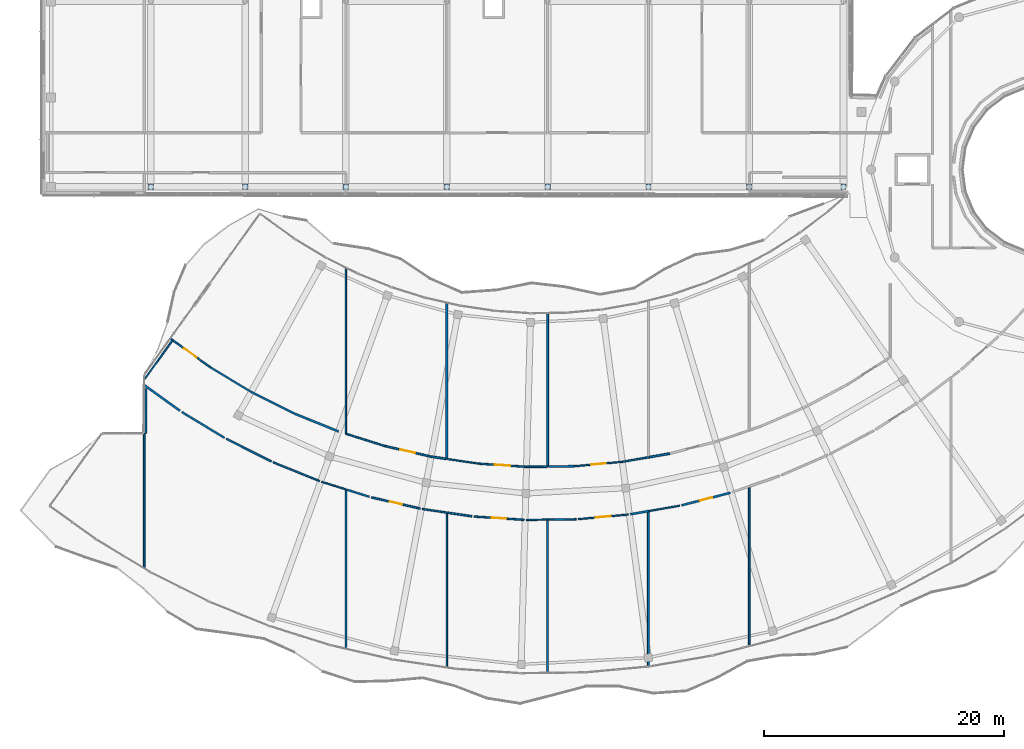
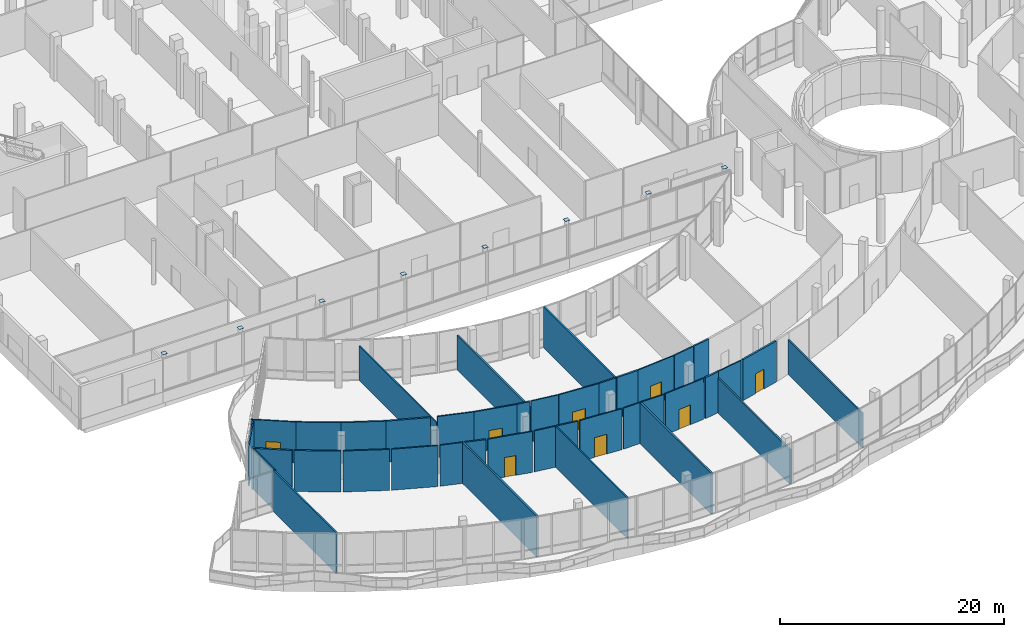
# One storey, part 129 of 155: 41 walls, 8 doors, 8 plates, 8 openings.
"""IFC4 building model written with IfcOpenShell, lengths in metres."""

from ifc_helpers import new_model, si_unit, direction, frame, frame_2d, origin, origin_2d, place, context, subcontext, project, spatial, rectangle, extrude, material, layer, layer_set, type_object, element, fill, save


model = new_model("IFC4")

# Units and contexts
model_context = context("Model", 3, precision=1e-05, world=origin(), true_north=direction((0.0, 1.0)))
body_context = subcontext(model_context, "Body", "Model", "MODEL_VIEW")
ifc_project = project(units=[si_unit("LENGTHUNIT", "METRE"), si_unit("AREAUNIT", "SQUARE_METRE"), si_unit("VOLUMEUNIT", "CUBIC_METRE"), si_unit("PLANEANGLEUNIT", "RADIAN"), si_unit("MASSUNIT", "GRAM", prefix="KILO")], contexts=[model_context])

# Site, building, storey
site_placement = place(None, origin())
site = spatial("IfcSite", under=ifc_project, at=site_placement, CompositionType="ELEMENT")
building_placement = place(site_placement, origin())
building = spatial("IfcBuilding", under=site, at=building_placement, Name="Selatvlak General Hospital", CompositionType="ELEMENT")
storey_placement = place(building_placement, frame((0.0, 0.0, 10.199951171875)))
storey = spatial("IfcBuildingStorey", under=building, at=storey_placement, Name="L02", CompositionType="ELEMENT", Elevation=10.199951171875)

# Plates
ifc_material_1 = material(Name="Steel S355", Category="steel")
ifc_layer_1 = layer(ifc_material_1, 0.02001953125, Name="Steel S355", Category="steel")
ifc_layer_set_1 = layer_set([ifc_layer_1], Name="Steel S355")
plate_type = type_object("IfcPlateType", Name="PLT-GP-01", PredefinedType="USERDEFINED", material=ifc_layer_set_1)
for number, where, z_axis, x_axis, name in (
    (1, (23.35009765625, 52.550048828125, 4.554931640625), (0.0, 0.0, 1.0), (1.0, 0.0, 0.0), "CHS column welded cap plate 01"),
    (2, (31.199951171875, 52.550048828125, 4.554931640625), (0.0, 0.0, 1.0), (1.0, 0.0, 0.0), "CHS column welded cap plate 04"),
    (3, (39.60009765625, 52.550048828125, 4.554931640625), (0.0, 0.0, 1.0), (1.0, 0.0, 0.0), "CHS column welded cap plate 07"),
    (4, (48.0, 52.550048828125, 4.554931640625), (0.0, 0.0, 1.0), (1.0, 0.0, 0.0), "CHS column welded cap plate 10"),
    (5, (56.39990234375, 52.550048828125, 4.554931640625), (0.0, 0.0, 1.0), (1.0, 0.0, 0.0), "CHS column welded cap plate 13"),
    (6, (64.800048828125, 52.550048828125, 4.554931640625), (0.0, 0.0, 1.0), (1.0, 0.0, 0.0), "CHS column welded cap plate 16"),
    (7, (73.199951171875, 52.550048828125, 4.554931640625), (0.0, 0.0, 1.0), (1.0, 0.0, 0.0), "CHS column welded cap plate 19"),
    (8, (81.050048828125, 52.550048828125, 4.554931640625), (0.0, 0.0, 1.0), (1.0, 0.0, 0.0), "CHS column welded cap plate 22"),
):
    element("IfcPlate", number, at=place(storey_placement, frame(where, z_axis=z_axis, x_axis=x_axis)), inside=storey, type_object=plate_type, Name=name, ObjectType="GUSSET_PLATE", PredefinedType="USERDEFINED", context=body_context, shape_type="SweptSolid", body=[
        extrude(rectangle(XDim=0.449951171875, YDim=0.449951171875, at=origin_2d()), origin(), (0.0, 0.0, 1.0), 0.02001953125),
    ])

# Walls
ifc_material_2 = material(Name="Acoustic gypsum stud partition")
ifc_layer_2 = layer(ifc_material_2, 0.179931640625, Name="Acoustic gypsum stud partition")
ifc_layer_set_2 = layer_set([ifc_layer_2], Name="Acoustic gypsum stud partition")
wall_type_1 = type_object("IfcWallType", Name="WALL-PT-01", PredefinedType="PARTITIONING", material=ifc_layer_set_2)
wall_1_placement = place(storey_placement, frame((38.987060546875, 32.177001953125, 0.0), z_axis=(0.0, 0.0, 1.0), x_axis=(-0.926867919325, 0.375387613176, 0.0)))
element("IfcWall", 9, at=wall_1_placement, inside=storey, type_object=wall_type_1, Name="L02 clinical partition PT-L02-1055", PredefinedType="PARTITIONING", context=body_context, shape_type="SweptSolid", body=[
    extrude(rectangle(XDim=3.99853515625, YDim=0.179931640625, at=frame_2d((1.999267578125, 0.0))), origin(), (0.0, 0.0, 1.0), 4.4599609375),
])
wall_2_placement = place(storey_placement, frame((22.81103515625, 36.031005859375, 0.0), z_axis=(0.0, 0.0, 1.0), x_axis=(0.811746017574, -0.584010618869, 0.0)))
element("IfcWall", 10, at=wall_2_placement, inside=storey, type_object=wall_type_1, Name="L02 clinical partition PT-L02-1060", PredefinedType="PARTITIONING", context=body_context, shape_type="SweptSolid", body=[
    extrude(rectangle(XDim=3.65234375, YDim=0.179931640625, at=frame_2d((1.826171875, 0.0))), origin(), (0.0, 0.0, 1.0), 4.4599609375),
])
wall_3_placement = place(storey_placement, frame((39.60009765625, 27.35009765625, 0.0), z_axis=(0.0, 0.0, 1.0), x_axis=(0.0, -1.0, 0.0)))
element("IfcWall", 11, at=wall_3_placement, inside=storey, type_object=wall_type_1, Name="L02 clinical partition PT-L02-1065", PredefinedType="PARTITIONING", context=body_context, shape_type="SweptSolid", body=[
    extrude(rectangle(XDim=13.274169921875, YDim=0.179931640625, at=frame_2d((6.63720703125, 0.0))), origin(), (0.0, 0.0, 1.0), 4.4599609375),
])
wall_4_placement = place(storey_placement, frame((48.0, 42.881103515625, 0.0), z_axis=(0.0, 0.0, 1.0), x_axis=(0.0, -1.0, 0.0)))
element("IfcWall", 12, at=wall_4_placement, inside=storey, type_object=wall_type_1, Name="L02 clinical partition PT-L02-1080", PredefinedType="PARTITIONING", context=body_context, shape_type="SweptSolid", body=[
    extrude(rectangle(XDim=12.9931640625, YDim=0.179931640625, at=frame_2d((6.49658203125, 0.0))), origin(), (0.0, 0.0, 1.0), 3.760009765625),
])
wall_5_placement = place(storey_placement, frame((56.39990234375, 24.77587890625, 0.0), z_axis=(0.0, 0.0, 1.0), x_axis=(0.0, -1.0, 0.0)))
element("IfcWall", 13, at=wall_5_placement, inside=storey, type_object=wall_type_1, Name="L02 clinical partition PT-L02-1090", PredefinedType="PARTITIONING", context=body_context, shape_type="SweptSolid", body=[
    extrude(rectangle(XDim=12.7119140625, YDim=0.179931640625, at=frame_2d((6.35595703125, 0.0))), origin(), (0.0, 0.0, 1.0), 4.4599609375),
])
wall_6_placement = place(storey_placement, frame((63.2900390625, 25.280029296875, 0.0), z_axis=(0.0, 0.0, 1.0), x_axis=(0.985282990006, 0.170931066819, 0.0)))
element("IfcWall", 14, at=wall_6_placement, inside=storey, type_object=wall_type_1, Name="L02 clinical partition PT-L02-1100", PredefinedType="PARTITIONING", context=body_context, shape_type="SweptSolid", body=[
    extrude(rectangle(XDim=1.532470703125, YDim=0.179931640625, at=frame_2d((0.76611328125, 0.0))), origin(), (0.0, 0.0, 1.0), 4.4599609375),
])
wall_7_placement = place(storey_placement, frame((58.638916015625, 29.281005859375, 0.0), z_axis=(0.0, 0.0, 1.0), x_axis=(-0.999915603192, -0.012991785602, 0.0)))
element("IfcWall", 15, at=wall_7_placement, inside=storey, type_object=wall_type_1, Name="L02 clinical partition PT-L02-1105", PredefinedType="PARTITIONING", context=body_context, shape_type="SweptSolid", body=[
    extrude(rectangle(XDim=2.1611328125, YDim=0.179931640625, at=frame_2d((1.08056640625, 0.0))), origin(), (0.0, 0.0, 1.0), 4.4599609375),
])

# Wall, opening, door
wall_8_placement = place(storey_placement, frame((67.573974609375, 26.030029296875, 0.0), z_axis=(0.0, 0.0, 1.0), x_axis=(0.968581545525, 0.248696179443, 0.0)))
wall_8 = element("IfcWall", 16, at=wall_8_placement, inside=storey, type_object=wall_type_1, Name="L02 clinical partition PT-L02-1110", PredefinedType="PARTITIONING", context=body_context, shape_type="SweptSolid", body=[
    extrude(rectangle(XDim=4.174072265625, YDim=0.179931640625, at=frame_2d((2.0869140625, 0.0))), origin(), (0.0, 0.0, 1.0), 4.4599609375),
])
opening_1_placement = place(wall_8_placement, frame((1.537109375, 0.0, 0.0)))
opening_1 = element("IfcOpeningElement", 17, at=opening_1_placement, cuts=wall_8, Name="Opening D-22", PredefinedType="OPENING", context=body_context, shape_type="SweptSolid", body=[
    extrude(rectangle(XDim=1.10009765625, YDim=2.14990234375, at=frame_2d((0.550048828125, 1.074951171875))), frame((0.0, 0.099853515625, 0.0), z_axis=(0.0, -1.0, 0.0), x_axis=(1.0, 0.0, 0.0)), (0.0, 0.0, 1.0), 0.199951171875),
])
ifc_material_3 = material(Name="Pharmacy security fire door")
door_type_1 = type_object("IfcDoorType", Name="DOOR-D-22", OperationType="NOTDEFINED", PredefinedType="DOOR", material=ifc_material_3)
door_1_placement = place(opening_1_placement, origin())
door_1 = element("IfcDoor", 18, at=door_1_placement, inside=storey, type_object=door_type_1, Name="L02 Sports Medicine Clinic 15 door", OperationType="SINGLE_SWING_LEFT", OverallHeight=2.14990234375, OverallWidth=1.10009765625, PredefinedType="DOOR", context=body_context, shape_type="SweptSolid", body=[
    extrude(rectangle(XDim=1.10009765625, YDim=2.14990234375, at=frame_2d((0.550048828125, 1.074951171875))), frame((0.0, 0.02490234375, 0.0), z_axis=(0.0, -1.0, 0.0), x_axis=(1.0, 0.0, 0.0)), (0.0, 0.0, 1.0), 0.050048828125),
])
fill(opening_1, door_1)

# Walls
ifc_layer_3 = layer(ifc_material_2, 0.1650390625, Name="Acoustic gypsum stud partition")
ifc_layer_set_3 = layer_set([ifc_layer_3], Name="Acoustic gypsum stud partition")
wall_type_2 = type_object("IfcWallType", Name="WALL-PT-02", PredefinedType="PARTITIONING", material=ifc_layer_set_3)
wall_9_placement = place(storey_placement, frame((35.281005859375, 33.677978515625, 0.0), z_axis=(0.0, 0.0, 1.0), x_axis=(-0.894072773978, 0.447921728464, 0.0)))
element("IfcWall", 19, at=wall_9_placement, inside=storey, type_object=wall_type_2, Name="L02 clinical partition PT-L02-1056", PredefinedType="PARTITIONING", context=body_context, shape_type="SweptSolid", body=[
    extrude(rectangle(XDim=3.99853515625, YDim=0.1650390625, at=frame_2d((1.999267578125, 0.0))), origin(), (0.0, 0.0, 1.0), 4.4599609375),
])
wall_10_placement = place(storey_placement, frame((25.922119140625, 33.801025390625, 0.0), z_axis=(0.0, 0.0, 1.0), x_axis=(0.855707289443, -0.517460177013, 0.0)))
element("IfcWall", 20, at=wall_10_placement, inside=storey, type_object=wall_type_2, Name="L02 clinical partition PT-L02-1061", PredefinedType="PARTITIONING", context=body_context, shape_type="SweptSolid", body=[
    extrude(rectangle(XDim=4.174072265625, YDim=0.1650390625, at=frame_2d((2.0869140625, 0.0))), origin(), (0.0, 0.0, 1.0), 4.4599609375),
])
wall_11_placement = place(storey_placement, frame((39.68603515625, 27.322998046875, 0.0), z_axis=(0.0, 0.0, 1.0), x_axis=(0.953640983057, -0.300946632204, 0.0)))
element("IfcWall", 21, at=wall_11_placement, inside=storey, type_object=wall_type_2, Name="L02 clinical partition PT-L02-1076", PredefinedType="PARTITIONING", context=body_context, shape_type="SweptSolid", body=[
    extrude(rectangle(XDim=1.960693359375, YDim=0.1650390625, at=frame_2d((0.98046875, 0.0))), origin(), (0.0, 0.0, 1.0), 4.4599609375),
])
wall_12_placement = place(storey_placement, frame((47.9140625, 29.90087890625, 0.0), z_axis=(0.0, 0.0, 1.0), x_axis=(-0.989333072423, 0.145671108357, 0.0)))
element("IfcWall", 22, at=wall_12_placement, inside=storey, type_object=wall_type_2, Name="L02 clinical partition PT-L02-1081", PredefinedType="PARTITIONING", context=body_context, shape_type="SweptSolid", body=[
    extrude(rectangle(XDim=1.230224609375, YDim=0.1650390625, at=frame_2d((0.615234375, 0.0))), origin(), (0.0, 0.0, 1.0), 4.4599609375),
])
wall_13_placement = place(storey_placement, frame((56.39990234375, 42.02001953125, 0.0), z_axis=(0.0, 0.0, 1.0), x_axis=(0.0, -1.0, 0.0)))
element("IfcWall", 23, at=wall_13_placement, inside=storey, type_object=wall_type_2, Name="L02 clinical partition PT-L02-1091", PredefinedType="PARTITIONING", context=body_context, shape_type="SweptSolid", body=[
    extrude(rectangle(XDim=12.76806640625, YDim=0.1650390625, at=frame_2d((6.384033203125, 0.0))), origin(), (0.0, 0.0, 1.0), 4.4599609375),
])
wall_14_placement = place(storey_placement, frame((64.800048828125, 25.455078125, 0.0), z_axis=(0.0, 0.0, 1.0), x_axis=(0.0, -1.0, 0.0)))
element("IfcWall", 24, at=wall_14_placement, inside=storey, type_object=wall_type_2, Name="L02 clinical partition PT-L02-1101", PredefinedType="PARTITIONING", context=body_context, shape_type="SweptSolid", body=[
    extrude(rectangle(XDim=12.864013671875, YDim=0.1650390625, at=frame_2d((6.43212890625, 0.0))), origin(), (0.0, 0.0, 1.0), 3.760009765625),
])
wall_15_placement = place(storey_placement, frame((66.55908203125, 30.3330078125, 0.0), z_axis=(0.0, 0.0, 1.0), x_axis=(-0.985270267568, -0.171004385462, 0.0)))
element("IfcWall", 25, at=wall_15_placement, inside=storey, type_object=wall_type_2, Name="L02 clinical partition PT-L02-1116", PredefinedType="PARTITIONING", context=body_context, shape_type="SweptSolid", body=[
    extrude(rectangle(XDim=1.713134765625, YDim=0.1650390625, at=frame_2d((0.8564453125, 0.0))), origin(), (0.0, 0.0, 1.0), 4.4599609375),
])
ifc_layer_4 = layer(ifc_material_2, 0.14990234375, Name="Acoustic gypsum stud partition")
ifc_layer_set_4 = layer_set([ifc_layer_4], Name="Acoustic gypsum stud partition")
wall_type_3 = type_object("IfcWallType", Name="WALL-PT-03", PredefinedType="PARTITIONING", material=ifc_layer_set_4)
wall_16_placement = place(storey_placement, frame((22.800048828125, 20.76904296875, 0.0), z_axis=(0.0, 0.0, 1.0), x_axis=(0.0, 1.0, 0.0)))
element("IfcWall", 26, at=wall_16_placement, inside=storey, type_object=wall_type_3, Name="L02 clinical partition PT-L02-1052", PredefinedType="PARTITIONING", context=body_context, shape_type="SweptSolid", body=[
    extrude(rectangle(XDim=11.2509765625, YDim=0.14990234375, at=frame_2d((5.62548828125, 0.0))), origin(), (0.0, 0.0, 1.0), 4.4599609375),
])
wall_17_placement = place(storey_placement, frame((31.7060546875, 35.468994140625, 0.0), z_axis=(0.0, 0.0, 1.0), x_axis=(-0.85567727593, 0.517509806145, 0.0)))
element("IfcWall", 27, at=wall_17_placement, inside=storey, type_object=wall_type_3, Name="L02 clinical partition PT-L02-1057", PredefinedType="PARTITIONING", context=body_context, shape_type="SweptSolid", body=[
    extrude(rectangle(XDim=3.998291015625, YDim=0.14990234375, at=frame_2d((1.9990234375, 0.0))), origin(), (0.0, 0.0, 1.0), 4.4599609375),
])
wall_18_placement = place(storey_placement, frame((29.64794921875, 31.555908203125, 0.0), z_axis=(0.0, 0.0, 1.0), x_axis=(0.894146241338, -0.447775054131, 0.0)))
element("IfcWall", 28, at=wall_18_placement, inside=storey, type_object=wall_type_3, Name="L02 clinical partition PT-L02-1062", PredefinedType="PARTITIONING", context=body_context, shape_type="SweptSolid", body=[
    extrude(rectangle(XDim=4.173828125, YDim=0.14990234375, at=frame_2d((2.0869140625, 0.0))), origin(), (0.0, 0.0, 1.0), 4.4599609375),
])

# Wall, opening, door
wall_19_placement = place(storey_placement, frame((41.72509765625, 26.68701171875, 0.0), z_axis=(0.0, 0.0, 1.0), x_axis=(0.974584054813, -0.224022141996, 0.0)))
wall_19 = element("IfcWall", 29, at=wall_19_placement, inside=storey, type_object=wall_type_3, Name="L02 clinical partition PT-L02-1077", PredefinedType="PARTITIONING", context=body_context, shape_type="SweptSolid", body=[
    extrude(rectangle(XDim=4.174072265625, YDim=0.14990234375, at=frame_2d((2.0869140625, 0.0))), origin(), (0.0, 0.0, 1.0), 4.4599609375),
])
opening_2_placement = place(wall_19_placement, frame((1.56201171875, 0.0, 0.0)))
opening_2 = element("IfcOpeningElement", 30, at=opening_2_placement, cuts=wall_19, Name="Opening D-04", PredefinedType="OPENING", context=body_context, shape_type="SweptSolid", body=[
    extrude(rectangle(XDim=1.050048828125, YDim=2.14990234375, at=frame_2d((0.52490234375, 1.074951171875))), frame((0.0, 0.0849609375, 0.0), z_axis=(0.0, -1.0, 0.0), x_axis=(1.0, 0.0, 0.0)), (0.0, 0.0, 1.0), 0.169921875),
])
ifc_material_4 = material(Name="Consultation room door")
door_type_2 = type_object("IfcDoorType", Name="DOOR-D-04", OperationType="NOTDEFINED", PredefinedType="DOOR", material=ifc_material_4)
door_2_placement = place(opening_2_placement, origin())
door_2 = element("IfcDoor", 31, at=door_2_placement, inside=storey, type_object=door_type_2, Name="L02 Sports Medicine Clinic 06 door", OperationType="SINGLE_SWING_LEFT", OverallHeight=2.14990234375, OverallWidth=1.050048828125, PredefinedType="DOOR", context=body_context, shape_type="SweptSolid", body=[
    extrude(rectangle(XDim=1.050048828125, YDim=2.14990234375, at=frame_2d((0.52490234375, 1.074951171875))), frame((0.0, 0.02490234375, 0.0), z_axis=(0.0, -1.0, 0.0), x_axis=(1.0, 0.0, 0.0)), (0.0, 0.0, 1.0), 0.050048828125),
])
fill(opening_2, door_2)

wall_20_placement = place(storey_placement, frame((46.697021484375, 30.080078125, 0.0), z_axis=(0.0, 0.0, 1.0), x_axis=(-0.974613054852, 0.223895943044, 0.0)))
wall_20 = element("IfcWall", 32, at=wall_20_placement, inside=storey, type_object=wall_type_3, Name="L02 clinical partition PT-L02-1082", PredefinedType="PARTITIONING", context=body_context, shape_type="SweptSolid", body=[
    extrude(rectangle(XDim=3.99755859375, YDim=0.14990234375, at=frame_2d((1.998779296875, 0.0))), origin(), (0.0, 0.0, 1.0), 4.4599609375),
])
opening_3_placement = place(wall_20_placement, frame((1.3740234375, 0.0, 0.0)))
opening_3 = element("IfcOpeningElement", 33, at=opening_3_placement, cuts=wall_20, Name="Opening D-08", PredefinedType="OPENING", context=body_context, shape_type="SweptSolid", body=[
    extrude(rectangle(XDim=1.25, YDim=2.14990234375, at=frame_2d((0.625, 1.074951171875))), frame((0.0, 0.0849609375, 0.0), z_axis=(0.0, -1.0, 0.0), x_axis=(1.0, 0.0, 0.0)), (0.0, 0.0, 1.0), 0.169921875),
])
ifc_material_5 = material(Name="Diagnostic treatment door")
door_type_3 = type_object("IfcDoorType", Name="DOOR-D-08", OperationType="NOTDEFINED", PredefinedType="DOOR", material=ifc_material_5)
door_3_placement = place(opening_3_placement, origin())
door_3 = element("IfcDoor", 34, at=door_3_placement, inside=storey, type_object=door_type_3, Name="L02 Physiotherapy Rehabilitation Gymnasium 07 door", OperationType="SINGLE_SWING_RIGHT", OverallHeight=2.14990234375, OverallWidth=1.25, PredefinedType="DOOR", context=body_context, shape_type="SweptSolid", body=[
    extrude(rectangle(XDim=1.25, YDim=2.14990234375, at=frame_2d((0.625, 1.074951171875))), frame((0.0, 0.02490234375, 0.0), z_axis=(0.0, -1.0, 0.0), x_axis=(1.0, 0.0, 0.0)), (0.0, 0.0, 1.0), 0.050048828125),
])
fill(opening_3, door_3)

# Walls
wall_21_placement = place(storey_placement, frame((48.055908203125, 25.412109375, 0.0), z_axis=(0.0, 0.0, 1.0), x_axis=(0.989346092184, -0.145582656525, 0.0)))
element("IfcWall", 35, at=wall_21_placement, inside=storey, type_object=wall_type_3, Name="L02 clinical partition PT-L02-1087", PredefinedType="PARTITIONING", context=body_context, shape_type="SweptSolid", body=[
    extrude(rectangle(XDim=2.06103515625, YDim=0.14990234375, at=frame_2d((1.030517578125, 0.0))), origin(), (0.0, 0.0, 1.0), 4.4599609375),
])
wall_22_placement = place(storey_placement, frame((56.39990234375, 29.251953125, 0.0), z_axis=(0.0, 0.0, 1.0), x_axis=(-0.999921884154, -0.012499023552, 0.0)))
element("IfcWall", 36, at=wall_22_placement, inside=storey, type_object=wall_type_3, Name="L02 clinical partition PT-L02-1092", PredefinedType="PARTITIONING", context=body_context, shape_type="SweptSolid", body=[
    extrude(rectangle(XDim=1.758056640625, YDim=0.14990234375, at=frame_2d((0.87890625, 0.0))), origin(), (0.0, 0.0, 1.0), 4.4599609375),
])
wall_23_placement = place(storey_placement, frame((73.199951171875, 27.52197265625, 0.0), z_axis=(0.0, 0.0, 1.0), x_axis=(0.0, -1.0, 0.0)))
element("IfcWall", 37, at=wall_23_placement, inside=storey, type_object=wall_type_3, Name="L02 clinical partition PT-L02-1112", PredefinedType="PARTITIONING", context=body_context, shape_type="SweptSolid", body=[
    extrude(rectangle(XDim=13.22900390625, YDim=0.14990234375, at=frame_2d((6.614501953125, 0.0))), origin(), (0.0, 0.0, 1.0), 3.760009765625),
])
ifc_material_6 = material(Name="Moisture-resistant clinical partition")
ifc_layer_5 = layer(ifc_material_6, 0.135009765625, Name="Moisture-resistant clinical partition")
ifc_layer_set_5 = layer_set([ifc_layer_5], Name="Moisture-resistant clinical partition")
wall_type_4 = type_object("IfcWallType", Name="WALL-PT-04", PredefinedType="PARTITIONING", material=ifc_layer_set_5)
wall_24_placement = place(storey_placement, frame((22.93994140625, 32.02490234375, 0.0), z_axis=(0.0, 0.0, 1.0), x_axis=(0.0, 1.0, 0.0)))
element("IfcWall", 38, at=wall_24_placement, inside=storey, type_object=wall_type_4, Name="L02 clinical partition PT-L02-1053", PredefinedType="PARTITIONING", context=body_context, shape_type="SweptSolid", body=[
    extrude(rectangle(XDim=3.72119140625, YDim=0.135009765625, at=frame_2d((1.860595703125, 0.0))), origin(), (0.0, 0.0, 1.0), 4.4599609375),
])

# Wall, opening, door
wall_25_placement = place(storey_placement, frame((28.284912109375, 37.5380859375, 0.0), z_axis=(0.0, 0.0, 1.0), x_axis=(-0.811886633155, 0.583815120482, 0.0)))
wall_25 = element("IfcWall", 39, at=wall_25_placement, inside=storey, type_object=wall_type_4, Name="L02 clinical partition PT-L02-1058", PredefinedType="PARTITIONING", context=body_context, shape_type="SweptSolid", body=[
    extrude(rectangle(XDim=4.072998046875, YDim=0.135009765625, at=frame_2d((2.03662109375, 0.0))), origin(), (0.0, 0.0, 1.0), 4.4599609375),
])
opening_4_placement = place(wall_25_placement, frame((1.386962890625, 0.0, 0.0)))
opening_4 = element("IfcOpeningElement", 40, at=opening_4_placement, cuts=wall_25, Name="Opening D-09", PredefinedType="OPENING", context=body_context, shape_type="SweptSolid", body=[
    extrude(rectangle(XDim=1.300048828125, YDim=2.14990234375, at=frame_2d((0.64990234375, 1.074951171875))), frame((0.0, 0.077392578125, 0.0), z_axis=(0.0, -1.0, 0.0), x_axis=(1.0, 0.0, 0.0)), (0.0, 0.0, 1.0), 0.155029296875),
])
ifc_material_7 = material(Name="Outpatient procedure door")
door_type_4 = type_object("IfcDoorType", Name="DOOR-D-09", OperationType="NOTDEFINED", PredefinedType="DOOR", material=ifc_material_7)
door_4_placement = place(opening_4_placement, origin())
door_4 = element("IfcDoor", 41, at=door_4_placement, inside=storey, type_object=door_type_4, Name="L02 Occupational Therapy Suite 02 door", OperationType="SINGLE_SWING_LEFT", OverallHeight=2.14990234375, OverallWidth=1.300048828125, PredefinedType="DOOR", context=body_context, shape_type="SweptSolid", body=[
    extrude(rectangle(XDim=1.300048828125, YDim=2.14990234375, at=frame_2d((0.64990234375, 1.074951171875))), frame((0.0, 0.02490234375, 0.0), z_axis=(0.0, -1.0, 0.0), x_axis=(1.0, 0.0, 0.0)), (0.0, 0.0, 1.0), 0.050048828125),
])
fill(opening_4, door_4)

# Walls
wall_26_placement = place(storey_placement, frame((33.5400390625, 29.614990234375, 0.0), z_axis=(0.0, 0.0, 1.0), x_axis=(0.926870756001, -0.375380609075, 0.0)))
element("IfcWall", 42, at=wall_26_placement, inside=storey, type_object=wall_type_4, Name="L02 clinical partition PT-L02-1063", PredefinedType="PARTITIONING", context=body_context, shape_type="SweptSolid", body=[
    extrude(rectangle(XDim=4.174072265625, YDim=0.135009765625, at=frame_2d((2.0869140625, 0.0))), origin(), (0.0, 0.0, 1.0), 4.4599609375),
])
wall_27_placement = place(storey_placement, frame((45.966064453125, 25.719970703125, 0.0), z_axis=(0.0, 0.0, 1.0), x_axis=(0.989293174374, -0.145941821067, 0.0)))
element("IfcWall", 43, at=wall_27_placement, inside=storey, type_object=wall_type_4, Name="L02 clinical partition PT-L02-1078", PredefinedType="PARTITIONING", context=body_context, shape_type="SweptSolid", body=[
    extrude(rectangle(XDim=2.055908203125, YDim=0.135009765625, at=frame_2d((1.02783203125, 0.0))), origin(), (0.0, 0.0, 1.0), 4.4599609375),
])
wall_28_placement = place(storey_placement, frame((42.801025390625, 30.97509765625, 0.0), z_axis=(0.0, 0.0, 1.0), x_axis=(-0.953756214308, 0.300581243042, 0.0)))
element("IfcWall", 44, at=wall_28_placement, inside=storey, type_object=wall_type_4, Name="L02 clinical partition PT-L02-1083", PredefinedType="PARTITIONING", context=body_context, shape_type="SweptSolid", body=[
    extrude(rectangle(XDim=3.356201171875, YDim=0.135009765625, at=frame_2d((1.67822265625, 0.0))), origin(), (0.0, 0.0, 1.0), 4.4599609375),
])

# Wall, opening, door
wall_29_placement = place(storey_placement, frame((50.26904296875, 25.093017578125, 0.0), z_axis=(0.0, 0.0, 1.0), x_axis=(0.997763106532, -0.066848958427, 0.0)))
wall_29 = element("IfcWall", 45, at=wall_29_placement, inside=storey, type_object=wall_type_4, Name="L02 clinical partition PT-L02-1088", PredefinedType="PARTITIONING", context=body_context, shape_type="SweptSolid", body=[
    extrude(rectangle(XDim=4.17431640625, YDim=0.135009765625, at=frame_2d((2.087158203125, 0.0))), origin(), (0.0, 0.0, 1.0), 4.4599609375),
])
opening_5_placement = place(wall_29_placement, frame((1.487060546875, 0.0, 0.0)))
opening_5 = element("IfcOpeningElement", 46, at=opening_5_placement, cuts=wall_29, Name="Opening D-07", PredefinedType="OPENING", context=body_context, shape_type="SweptSolid", body=[
    extrude(rectangle(XDim=1.199951171875, YDim=2.14990234375, at=frame_2d((0.60009765625, 1.074951171875))), frame((0.0, 0.077392578125, 0.0), z_axis=(0.0, -1.0, 0.0), x_axis=(1.0, 0.0, 0.0)), (0.0, 0.0, 1.0), 0.155029296875),
])
ifc_material_8 = material(Name="Plant and store fire door")
door_type_5 = type_object("IfcDoorType", Name="DOOR-D-07", OperationType="NOTDEFINED", PredefinedType="DOOR", material=ifc_material_8)
door_5_placement = place(opening_5_placement, origin())
door_5 = element("IfcDoor", 47, at=door_5_placement, inside=storey, type_object=door_type_5, Name="L02 Sports Medicine Clinic 09 door", OperationType="SINGLE_SWING_LEFT", OverallHeight=2.14990234375, OverallWidth=1.199951171875, PredefinedType="DOOR", context=body_context, shape_type="SweptSolid", body=[
    extrude(rectangle(XDim=1.199951171875, YDim=2.14990234375, at=frame_2d((0.60009765625, 1.074951171875))), frame((0.0, 0.02490234375, 0.0), z_axis=(0.0, -1.0, 0.0), x_axis=(1.0, 0.0, 0.0)), (0.0, 0.0, 1.0), 0.050048828125),
])
fill(opening_5, door_5)

wall_30_placement = place(storey_placement, frame((54.64208984375, 29.22998046875, 0.0), z_axis=(0.0, 0.0, 1.0), x_axis=(-0.99776702154, 0.06679049878, 0.0)))
wall_30 = element("IfcWall", 48, at=wall_30_placement, inside=storey, type_object=wall_type_4, Name="L02 clinical partition PT-L02-1093", PredefinedType="PARTITIONING", context=body_context, shape_type="SweptSolid", body=[
    extrude(rectangle(XDim=3.9990234375, YDim=0.135009765625, at=frame_2d((1.99951171875, 0.0))), origin(), (0.0, 0.0, 1.0), 4.4599609375),
])
opening_6_placement = place(wall_30_placement, frame((1.34912109375, 0.0, 0.0)))
opening_6 = element("IfcOpeningElement", 49, at=opening_6_placement, cuts=wall_30, Name="Opening D-09", PredefinedType="OPENING", context=body_context, shape_type="SweptSolid", body=[
    extrude(rectangle(XDim=1.300048828125, YDim=2.14990234375, at=frame_2d((0.64990234375, 1.074951171875))), frame((0.0, 0.077392578125, 0.0), z_axis=(0.0, -1.0, 0.0), x_axis=(1.0, 0.0, 0.0)), (0.0, 0.0, 1.0), 0.155029296875),
])
door_6_placement = place(opening_6_placement, origin())
door_6 = element("IfcDoor", 50, at=door_6_placement, inside=storey, type_object=door_type_4, Name="L02 Physiotherapy Rehabilitation Gymnasium 10 door", OperationType="SINGLE_SWING_RIGHT", OverallHeight=2.14990234375, OverallWidth=1.300048828125, PredefinedType="DOOR", context=body_context, shape_type="SweptSolid", body=[
    extrude(rectangle(XDim=1.300048828125, YDim=2.14990234375, at=frame_2d((0.64990234375, 1.074951171875))), frame((0.0, 0.02490234375, 0.0), z_axis=(0.0, -1.0, 0.0), x_axis=(1.0, 0.0, 0.0)), (0.0, 0.0, 1.0), 0.050048828125),
])
fill(opening_6, door_6)

# Walls
wall_31_placement = place(storey_placement, frame((56.39990234375, 24.83203125, 0.0), z_axis=(0.0, 0.0, 1.0), x_axis=(0.999920614738, 0.012600167566, 0.0)))
element("IfcWall", 51, at=wall_31_placement, inside=storey, type_object=wall_type_4, Name="L02 clinical partition PT-L02-1098", PredefinedType="PARTITIONING", context=body_context, shape_type="SweptSolid", body=[
    extrude(rectangle(XDim=2.38330078125, YDim=0.135009765625, at=frame_2d((1.191650390625, 0.0))), origin(), (0.0, 0.0, 1.0), 4.4599609375),
])
wall_32_placement = place(storey_placement, frame((64.800048828125, 30.028076171875, 0.0), z_axis=(0.0, 0.0, 1.0), x_axis=(-0.985196357546, -0.17142968552, 0.0)))
element("IfcWall", 52, at=wall_32_placement, inside=storey, type_object=wall_type_4, Name="L02 clinical partition PT-L02-1103", PredefinedType="PARTITIONING", context=body_context, shape_type="SweptSolid", body=[
    extrude(rectangle(XDim=2.211669921875, YDim=0.135009765625, at=frame_2d((1.10595703125, 0.0))), origin(), (0.0, 0.0, 1.0), 4.4599609375),
])
ifc_layer_6 = layer(ifc_material_6, 0.1201171875, Name="Moisture-resistant clinical partition")
ifc_layer_set_6 = layer_set([ifc_layer_6], Name="Moisture-resistant clinical partition")
wall_type_5 = type_object("IfcWallType", Name="WALL-PT-05", PredefinedType="PARTITIONING", material=ifc_layer_set_6)
wall_33_placement = place(storey_placement, frame((39.60009765625, 45.7939453125, 0.0), z_axis=(0.0, 0.0, 1.0), x_axis=(0.0, -1.0, 0.0)))
element("IfcWall", 53, at=wall_33_placement, inside=storey, type_object=wall_type_5, Name="L02 clinical partition PT-L02-1054", PredefinedType="PARTITIONING", context=body_context, shape_type="SweptSolid", body=[
    extrude(rectangle(XDim=13.81005859375, YDim=0.1201171875, at=frame_2d((6.905029296875, 0.0))), origin(), (0.0, 0.0, 1.0), 3.760009765625),
])
wall_34_placement = place(storey_placement, frame((25.126953125, 39.73095703125, 0.0), z_axis=(0.0, 0.0, 1.0), x_axis=(-0.584084011486, -0.811693210225, 0.0)))
element("IfcWall", 54, at=wall_34_placement, inside=storey, type_object=wall_type_5, Name="L02 clinical partition PT-L02-1059", PredefinedType="PARTITIONING", context=body_context, shape_type="SweptSolid", body=[
    extrude(rectangle(XDim=3.96337890625, YDim=0.1201171875, at=frame_2d((1.981689453125, 0.0))), origin(), (0.0, 0.0, 1.0), 4.4599609375),
])
wall_35_placement = place(storey_placement, frame((37.574951171875, 27.988037109375, 0.0), z_axis=(0.0, 0.0, 1.0), x_axis=(0.953796174372, -0.300454418762, 0.0)))
element("IfcWall", 55, at=wall_35_placement, inside=storey, type_object=wall_type_5, Name="L02 clinical partition PT-L02-1064", PredefinedType="PARTITIONING", context=body_context, shape_type="SweptSolid", body=[
    extrude(rectangle(XDim=2.123291015625, YDim=0.1201171875, at=frame_2d((1.0615234375, 0.0))), origin(), (0.0, 0.0, 1.0), 4.4599609375),
])
wall_36_placement = place(storey_placement, frame((48.0, 25.419921875, 0.0), z_axis=(0.0, 0.0, 1.0), x_axis=(0.0, -1.0, 0.0)))
element("IfcWall", 56, at=wall_36_placement, inside=storey, type_object=wall_type_5, Name="L02 clinical partition PT-L02-1079", PredefinedType="PARTITIONING", context=body_context, shape_type="SweptSolid", body=[
    extrude(rectangle(XDim=12.905029296875, YDim=0.1201171875, at=frame_2d((6.45263671875, 0.0))), origin(), (0.0, 0.0, 1.0), 4.4599609375),
])
wall_37_placement = place(storey_placement, frame((54.610107421875, 24.80908203125, 0.0), z_axis=(0.0, 0.0, 1.0), x_axis=(0.999917804939, 0.012821207702, 0.0)))
element("IfcWall", 57, at=wall_37_placement, inside=storey, type_object=wall_type_5, Name="L02 clinical partition PT-L02-1089", PredefinedType="PARTITIONING", context=body_context, shape_type="SweptSolid", body=[
    extrude(rectangle(XDim=1.7900390625, YDim=0.1201171875, at=frame_2d((0.89501953125, 0.0))), origin(), (0.0, 0.0, 1.0), 4.4599609375),
])
wall_38_placement = place(storey_placement, frame((50.652099609375, 29.4970703125, 0.0), z_axis=(0.0, 0.0, 1.0), x_axis=(-0.989313203243, 0.145805987148, 0.0)))
element("IfcWall", 58, at=wall_38_placement, inside=storey, type_object=wall_type_5, Name="L02 clinical partition PT-L02-1094", PredefinedType="PARTITIONING", context=body_context, shape_type="SweptSolid", body=[
    extrude(rectangle(XDim=2.6806640625, YDim=0.1201171875, at=frame_2d((1.34033203125, 0.0))), origin(), (0.0, 0.0, 1.0), 4.4599609375),
])

# Wall, opening, door
wall_39_placement = place(storey_placement, frame((58.958984375, 24.87109375, 0.0), z_axis=(0.0, 0.0, 1.0), x_axis=(0.995736396847, 0.092244392753, 0.0)))
wall_39 = element("IfcWall", 59, at=wall_39_placement, inside=storey, type_object=wall_type_5, Name="L02 clinical partition PT-L02-1099", PredefinedType="PARTITIONING", context=body_context, shape_type="SweptSolid", body=[
    extrude(rectangle(XDim=4.173828125, YDim=0.1201171875, at=frame_2d((2.0869140625, 0.0))), origin(), (0.0, 0.0, 1.0), 4.4599609375),
])
opening_7_placement = place(wall_39_placement, frame((1.4619140625, 0.0, 0.0)))
opening_7 = element("IfcOpeningElement", 60, at=opening_7_placement, cuts=wall_39, Name="Opening D-08", PredefinedType="OPENING", context=body_context, shape_type="SweptSolid", body=[
    extrude(rectangle(XDim=1.25, YDim=2.14990234375, at=frame_2d((0.625, 1.074951171875))), frame((0.0, 0.070068359375, 0.0), z_axis=(0.0, -1.0, 0.0), x_axis=(1.0, 0.0, 0.0)), (0.0, 0.0, 1.0), 0.14013671875),
])
door_7_placement = place(opening_7_placement, origin())
door_7 = element("IfcDoor", 61, at=door_7_placement, inside=storey, type_object=door_type_3, Name="L02 Sports Medicine Clinic 12 door", OperationType="SINGLE_SWING_LEFT", OverallHeight=2.14990234375, OverallWidth=1.25, PredefinedType="DOOR", context=body_context, shape_type="SweptSolid", body=[
    extrude(rectangle(XDim=1.25, YDim=2.14990234375, at=frame_2d((0.625, 1.074951171875))), frame((0.0, 0.02490234375, 0.0), z_axis=(0.0, -1.0, 0.0), x_axis=(1.0, 0.0, 0.0)), (0.0, 0.0, 1.0), 0.050048828125),
])
fill(opening_7, door_7)

wall_40_placement = place(storey_placement, frame((62.62109375, 29.64892578125, 0.0), z_axis=(0.0, 0.0, 1.0), x_axis=(-0.99575902483, -0.091999806904, 0.0)))
wall_40 = element("IfcWall", 62, at=wall_40_placement, inside=storey, type_object=wall_type_5, Name="L02 clinical partition PT-L02-1104", PredefinedType="PARTITIONING", context=body_context, shape_type="SweptSolid", body=[
    extrude(rectangle(XDim=3.9990234375, YDim=0.1201171875, at=frame_2d((1.99951171875, 0.0))), origin(), (0.0, 0.0, 1.0), 4.4599609375),
])
opening_8_placement = place(wall_40_placement, frame((1.39892578125, 0.0, 0.0)))
opening_8 = element("IfcOpeningElement", 63, at=opening_8_placement, cuts=wall_40, Name="Opening D-23", PredefinedType="OPENING", context=body_context, shape_type="SweptSolid", body=[
    extrude(rectangle(XDim=1.199951171875, YDim=2.14990234375, at=frame_2d((0.60009765625, 1.074951171875))), frame((0.0, 0.070068359375, 0.0), z_axis=(0.0, -1.0, 0.0), x_axis=(1.0, 0.0, 0.0)), (0.0, 0.0, 1.0), 0.14013671875),
])
ifc_material_9 = material(Name="Endoscopy clinical door")
door_type_6 = type_object("IfcDoorType", Name="DOOR-D-23", OperationType="NOTDEFINED", PredefinedType="DOOR", material=ifc_material_9)
door_8_placement = place(opening_8_placement, origin())
door_8 = element("IfcDoor", 64, at=door_8_placement, inside=storey, type_object=door_type_6, Name="L02 Physiotherapy Rehabilitation Gymnasium 13 door", OperationType="SINGLE_SWING_RIGHT", OverallHeight=2.14990234375, OverallWidth=1.199951171875, PredefinedType="DOOR", context=body_context, shape_type="SweptSolid", body=[
    extrude(rectangle(XDim=1.199951171875, YDim=2.14990234375, at=frame_2d((0.60009765625, 1.074951171875))), frame((0.0, 0.02490234375, 0.0), z_axis=(0.0, -1.0, 0.0), x_axis=(1.0, 0.0, 0.0)), (0.0, 0.0, 1.0), 0.050048828125),
])
fill(opening_8, door_8)

# Wall
wall_41_placement = place(storey_placement, frame((64.800048828125, 25.5419921875, 0.0), z_axis=(0.0, 0.0, 1.0), x_axis=(0.985251758062, 0.171110996826, 0.0)))
element("IfcWall", 65, at=wall_41_placement, inside=storey, type_object=wall_type_5, Name="L02 clinical partition PT-L02-1109", PredefinedType="PARTITIONING", context=body_context, shape_type="SweptSolid", body=[
    extrude(rectangle(XDim=2.64111328125, YDim=0.1201171875, at=frame_2d((1.320556640625, 0.0))), origin(), (0.0, 0.0, 1.0), 4.4599609375),
])

save(model, "model.ifc")
